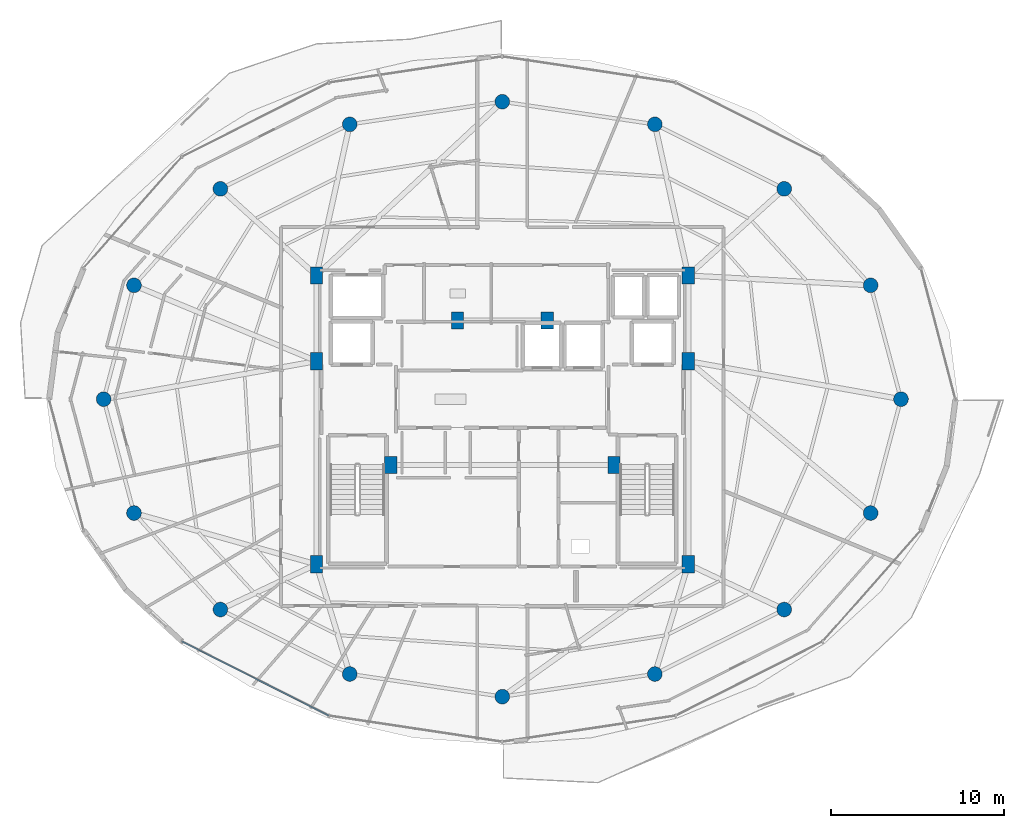
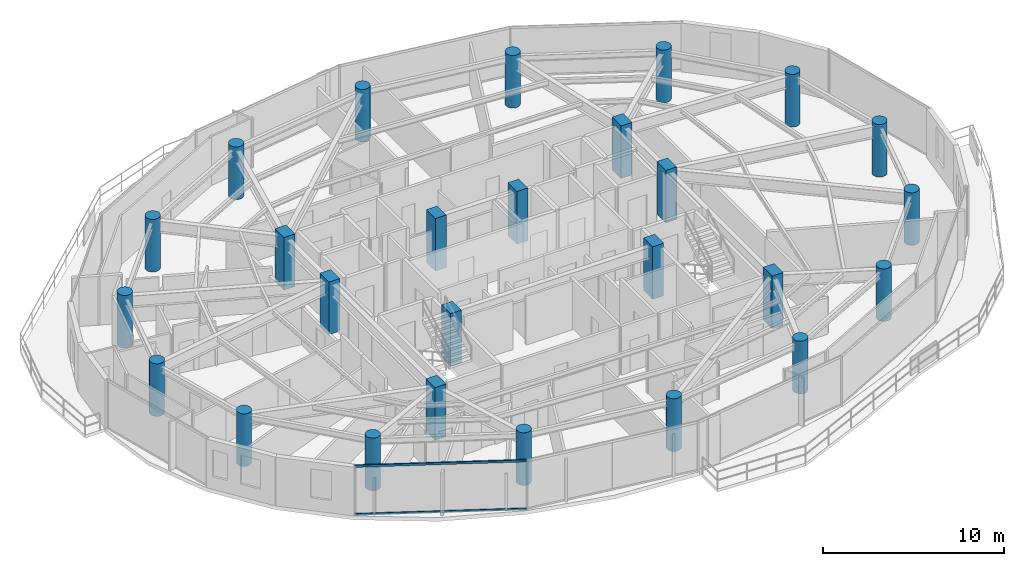
# One storey, part 1 of 30: 26 columns, 2 members, 1 element without a shape of its own.
"""IFC4 building model written with IfcOpenShell, lengths in metres."""

from ifc_helpers import new_model, si_unit, direction, frame, origin, origin_2d, place, context, subcontext, project, spatial, rectangle, hollow_rectangle, circle, extrude, material, material_profile, profile_set, type_object, element, aggregate, save


model = new_model("IFC4")

# Units and contexts
model_context = context("Model", 3, precision=1e-05, world=origin(), true_north=direction((0.0, 1.0)))
body_context = subcontext(model_context, "Body", "Model", "MODEL_VIEW")
ifc_project = project(units=[si_unit("LENGTHUNIT", "METRE"), si_unit("AREAUNIT", "SQUARE_METRE"), si_unit("VOLUMEUNIT", "CUBIC_METRE"), si_unit("PLANEANGLEUNIT", "RADIAN"), si_unit("MASSUNIT", "GRAM", prefix="KILO")], contexts=[model_context])

# Site, building, storey
site_placement = place(None, origin())
site = spatial("IfcSite", under=ifc_project, at=site_placement, CompositionType="ELEMENT")
building_placement = place(site_placement, origin())
building = spatial("IfcBuilding", under=site, at=building_placement, Name="Vorneva Point Tower", CompositionType="ELEMENT")
storey_placement = place(building_placement, frame((0.0, 0.0, 237.800048828125)))
storey = spatial("IfcBuildingStorey", under=building, at=storey_placement, Name="L64", CompositionType="ELEMENT", Elevation=237.800048828125)

# Columns
ifc_material_1 = material(Name="Concrete B50 (C40/50)", Category="concrete")
ifc_material_profile_1 = material_profile(ifc_material_1, circle(Radius=0.425048828125, at=origin_2d()), Name="RC-CIRC 850")
ifc_profile_set_1 = profile_set([ifc_material_profile_1], Name="Concrete B50 (C40/50)")
column_type_1 = type_object("IfcColumnType", Name="COL-RC850C", PredefinedType="COLUMN", material=ifc_profile_set_1)
for number, where, z_axis, x_axis, name in (
    (1, (61.050048828125, 26.0, 0.0), (0.0, 0.0, 1.0), (1.0, 0.0, 0.0), "L64 Perimeter Column P01"),
    (2, (59.29541015625, 32.582275390625, 0.0), (0.0, 0.0, 1.0), (0.923879532511, 0.382683432365, 0.0), "L64 Perimeter Column P02"),
    (3, (54.298828125, 38.162109375, 0.0), (0.0, 0.0, 1.0), (0.707106781187, 0.707106781187, 0.0), "L64 Perimeter Column P03"),
    (4, (46.82080078125, 41.890625, 0.0), (0.0, 0.0, 1.0), (0.382683432365, 0.923879532511, 0.0), "L64 Perimeter Column P04"),
    (5, (38.0, 43.199951171875, 0.0), (0.0, 0.0, 1.0), (0.0, 1.0, 0.0), "L64 Perimeter Column P05"),
    (6, (29.17919921875, 41.890625, 0.0), (0.0, 0.0, 1.0), (-0.382683432365, 0.923879532511, 0.0), "L64 Perimeter Column P06"),
    (7, (21.701171875, 38.162109375, 0.0), (0.0, 0.0, 1.0), (-0.707106781187, 0.707106781187, 0.0), "L64 Perimeter Column P07"),
    (8, (16.70458984375, 32.582275390625, 0.0), (0.0, 0.0, 1.0), (-0.923879532511, 0.382683432365, 0.0), "L64 Perimeter Column P08"),
    (9, (14.949951171875, 26.0, 0.0), (0.0, 0.0, 1.0), (-1.0, 0.0, 0.0), "L64 Perimeter Column P09"),
    (10, (16.70458984375, 19.417724609375, 0.0), (0.0, 0.0, 1.0), (-0.923879532511, -0.382683432365, 0.0), "L64 Perimeter Column P10"),
    (11, (21.701171875, 13.837890625, 0.0), (0.0, 0.0, 1.0), (-0.707106781187, -0.707106781187, 0.0), "L64 Perimeter Column P11"),
    (12, (29.17919921875, 10.109375, 0.0), (0.0, 0.0, 1.0), (-0.382683432365, -0.923879532511, 0.0), "L64 Perimeter Column P12"),
    (13, (38.0, 8.800048828125, 0.0), (0.0, 0.0, 1.0), (0.0, -1.0, 0.0), "L64 Perimeter Column P13"),
    (14, (46.82080078125, 10.109375, 0.0), (0.0, 0.0, 1.0), (0.382683432365, -0.923879532511, 0.0), "L64 Perimeter Column P14"),
    (15, (54.298828125, 13.837890625, 0.0), (0.0, 0.0, 1.0), (0.707106781187, -0.707106781187, 0.0), "L64 Perimeter Column P15"),
    (16, (59.29541015625, 19.417724609375, 0.0), (0.0, 0.0, 1.0), (0.923879532511, -0.382683432365, 0.0), "L64 Perimeter Column P16"),
):
    element("IfcColumn", number, at=place(storey_placement, frame(where, z_axis=z_axis, x_axis=x_axis)), inside=storey, type_object=column_type_1, Name=name, PredefinedType="COLUMN", context=body_context, shape_type="SweptSolid", body=[
        extrude(circle(Radius=0.425048828125, at=origin_2d()), origin(), (0.0, 0.0, 1.0), 3.550048828125),
    ])
ifc_material_profile_2 = material_profile(ifc_material_1, rectangle(XDim=0.699951171875, YDim=1.0, at=origin_2d()), Name="RC-PIL 1000x700")
ifc_profile_set_2 = profile_set([ifc_material_profile_2], Name="Concrete B50 (C40/50)")
column_type_2 = type_object("IfcColumnType", Name="PIL-RC1000x700", PredefinedType="PILASTER", material=ifc_profile_set_2)
for number, where, z_axis, x_axis, name in (
    (17, (27.25, 16.449951171875, 0.0), (0.0, 0.0, 1.0), (1.0, 0.0, 0.0), "L64 Core Pilaster CP1"),
    (18, (27.25, 28.199951171875, 0.0), (0.0, 0.0, 1.0), (1.0, 0.0, 0.0), "L64 Core Pilaster CP2"),
    (19, (27.25, 33.14990234375, 0.0), (0.0, 0.0, 1.0), (1.0, 0.0, 0.0), "L64 Core Pilaster CP3"),
    (20, (31.550048828125, 22.199951171875, 0.0), (0.0, 0.0, 1.0), (1.0, 0.0, 0.0), "L64 Core Pilaster CP4"),
    (21, (48.75, 33.14990234375, 0.0), (0.0, 0.0, 1.0), (1.0, 0.0, 0.0), "L64 Core Pilaster CP5"),
    (22, (48.75, 28.199951171875, 0.0), (0.0, 0.0, 1.0), (1.0, 0.0, 0.0), "L64 Core Pilaster CP6"),
    (23, (48.75, 16.449951171875, 0.0), (0.0, 0.0, 1.0), (1.0, 0.0, 0.0), "L64 Core Pilaster CP7"),
    (24, (44.449951171875, 22.199951171875, 0.0), (0.0, 0.0, 1.0), (1.0, 0.0, 0.0), "L64 Core Pilaster CP8"),
    (25, (35.39990234375, 30.550048828125, 0.0), (0.0, 0.0, 1.0), (1.0, 0.0, 0.0), "L64 Core Pilaster CP9"),
    (26, (40.60009765625, 30.550048828125, 0.0), (0.0, 0.0, 1.0), (1.0, 0.0, 0.0), "L64 Core Pilaster CP10"),
):
    element("IfcColumn", number, at=place(storey_placement, frame(where, z_axis=z_axis, x_axis=x_axis)), inside=storey, type_object=column_type_2, Name=name, PredefinedType="PILASTER", context=body_context, shape_type="SweptSolid", body=[
        extrude(rectangle(XDim=0.699951171875, YDim=1.0, at=origin_2d()), origin(), (0.0, 0.0, 1.0), 3.550048828125),
    ])

# Curtain wall, members
ifc_material_2 = material(Name="Pale anodised aluminium", Category="aluminium")
curtain_wall_type = type_object("IfcCurtainWallType", Name="CW-RES-SYS", PredefinedType="NOTDEFINED", material=ifc_material_2)
curtain_wall_placement = place(storey_placement, origin())
curtain_wall = element("IfcCurtainWall", 27, at=curtain_wall_placement, inside=storey, type_object=curtain_wall_type, Name="L64 Unitised Curtain Wall CW-L64-R04", PredefinedType="NOTDEFINED")
ifc_material_profile_3 = material_profile(ifc_material_2, hollow_rectangle(XDim=0.074951171875, YDim=0.14990234375, WallThickness=0.00390625, at=origin_2d()), Name="AL-TRN 150x75x4")
ifc_profile_set_3 = profile_set([ifc_material_profile_3], Name="Pale anodised aluminium")
member_type = type_object("IfcMemberType", Name="CW-TRN-150", PredefinedType="USERDEFINED", material=ifc_profile_set_3)
member_1_placement = place(storey_placement, frame((19.473876953125, 11.9921875, 0.02001953125), z_axis=(0.892558185815, -0.450932239848, 0.0), x_axis=(0.450932239848, 0.892558185815, 0.0)))
member_1 = element("IfcMember", 28, at=member_1_placement, type_object=member_type, Name="CW-L64-R04 Transom 01.1", ObjectType="TRANSOM", PredefinedType="USERDEFINED", context=body_context, shape_type="SweptSolid", body=[
    extrude(hollow_rectangle(XDim=0.074951171875, YDim=0.14990234375, WallThickness=0.00390625, at=origin_2d()), origin(), (0.0, 0.0, 1.0), 9.52294921875),
])
member_2_placement = place(storey_placement, frame((19.473876953125, 11.9921875, 3.27001953125), z_axis=(0.892558185815, -0.450932239848, 0.0), x_axis=(0.450932239848, 0.892558185815, 0.0)))
member_2 = element("IfcMember", 29, at=member_2_placement, type_object=member_type, Name="CW-L64-R04 Transom 01.2", ObjectType="TRANSOM", PredefinedType="USERDEFINED", context=body_context, shape_type="SweptSolid", body=[
    extrude(hollow_rectangle(XDim=0.074951171875, YDim=0.14990234375, WallThickness=0.00390625, at=origin_2d()), origin(), (0.0, 0.0, 1.0), 9.52294921875),
])
aggregate(curtain_wall, [member_1, member_2])

save(model, "model.ifc")
